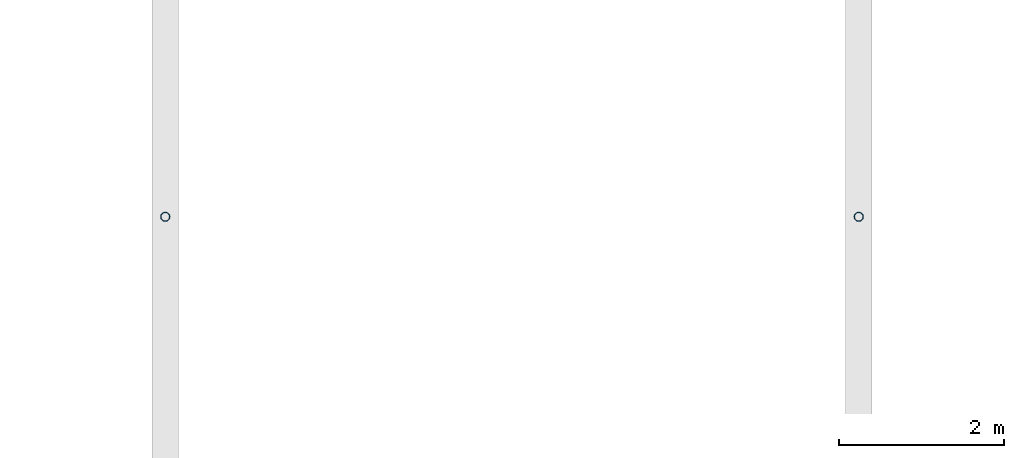
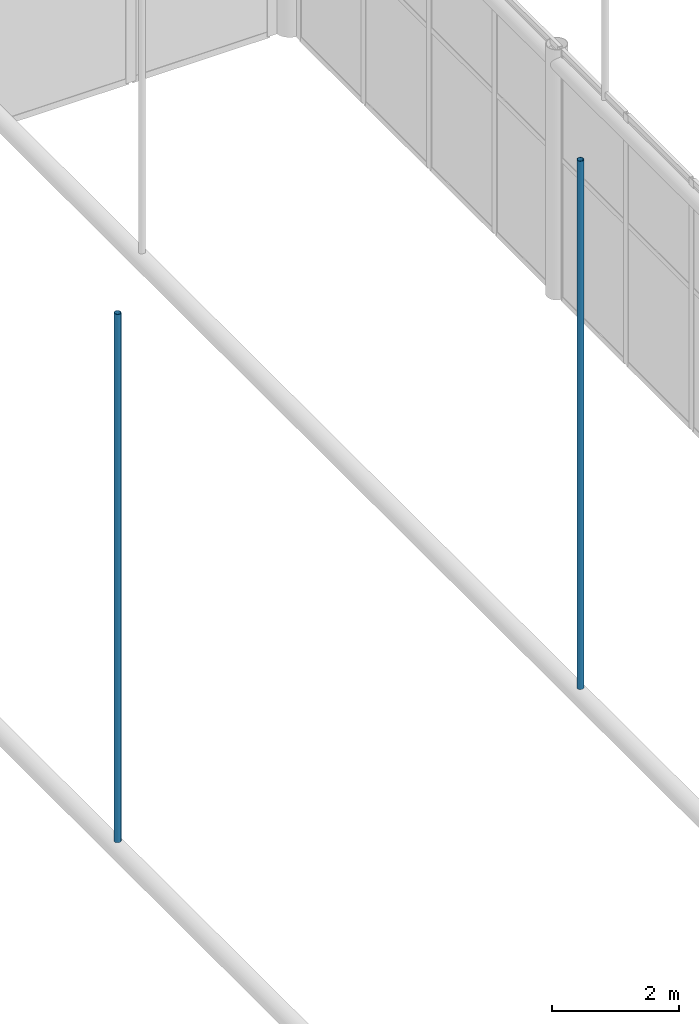
# One storey, part 108 of 167: 2 members.
"""IFC4 building model written with IfcOpenShell, lengths in metres."""

from ifc_helpers import new_model, si_unit, direction, frame, origin, origin_2d, place, context, subcontext, project, spatial, hollow_circle, extrude, material, material_profile, profile_set, type_object, element, save


model = new_model("IFC4")

# Units and contexts
model_context = context("Model", 3, precision=1e-05, world=origin(), true_north=direction((0.0, 1.0)))
body_context = subcontext(model_context, "Body", "Model", "MODEL_VIEW")
ifc_project = project(units=[si_unit("LENGTHUNIT", "METRE"), si_unit("AREAUNIT", "SQUARE_METRE"), si_unit("VOLUMEUNIT", "CUBIC_METRE"), si_unit("PLANEANGLEUNIT", "RADIAN"), si_unit("MASSUNIT", "GRAM", prefix="KILO")], contexts=[model_context])

# Site, building, storey
site_placement = place(None, origin())
site = spatial("IfcSite", under=ifc_project, at=site_placement, CompositionType="ELEMENT")
building_placement = place(site_placement, origin())
building = spatial("IfcBuilding", under=site, at=building_placement, Name="Catenary Quay Ferry Terminal", CompositionType="ELEMENT")
storey_placement = place(building_placement, frame((0.0, 0.0, 6.0)))
storey = spatial("IfcBuildingStorey", under=building, at=storey_placement, Name="L01", CompositionType="ELEMENT", Elevation=6.0)

# Members
ifc_material = material(Name="Steel S355", Category="steel")
ifc_material_profile = material_profile(ifc_material, hollow_circle(Radius=0.05712890625, WallThickness=0.00634765625, at=origin_2d()), Name="CHS 114.3x6.3")
ifc_profile_set = profile_set([ifc_material_profile], Name="Steel S355")
member_type = type_object("IfcMemberType", Name="HG1 CHS 114.3x6.3", PredefinedType="POST", material=ifc_profile_set)
for number, where, z_axis, x_axis, name in (
    (1, (75.60009765625, 119.110107421875, 4.654052734375), (0.0, 0.0, 1.0), (1.0, 0.0, 0.0), "Hanger VD-07-04"),
    (2, (84.0, 119.110107421875, 4.654052734375), (0.0, 0.0, 1.0), (1.0, 0.0, 0.0), "Hanger VD-08-04"),
):
    element("IfcMember", number, at=place(storey_placement, frame(where, z_axis=z_axis, x_axis=x_axis)), inside=storey, type_object=member_type, Name=name, PredefinedType="POST", context=body_context, shape_type="SweptSolid", body=[
        extrude(hollow_circle(Radius=0.05712890625, WallThickness=0.00634765625, at=origin_2d()), origin(), (0.0, 0.0, 1.0), 10.137939453125),
    ])

save(model, "model.ifc")
